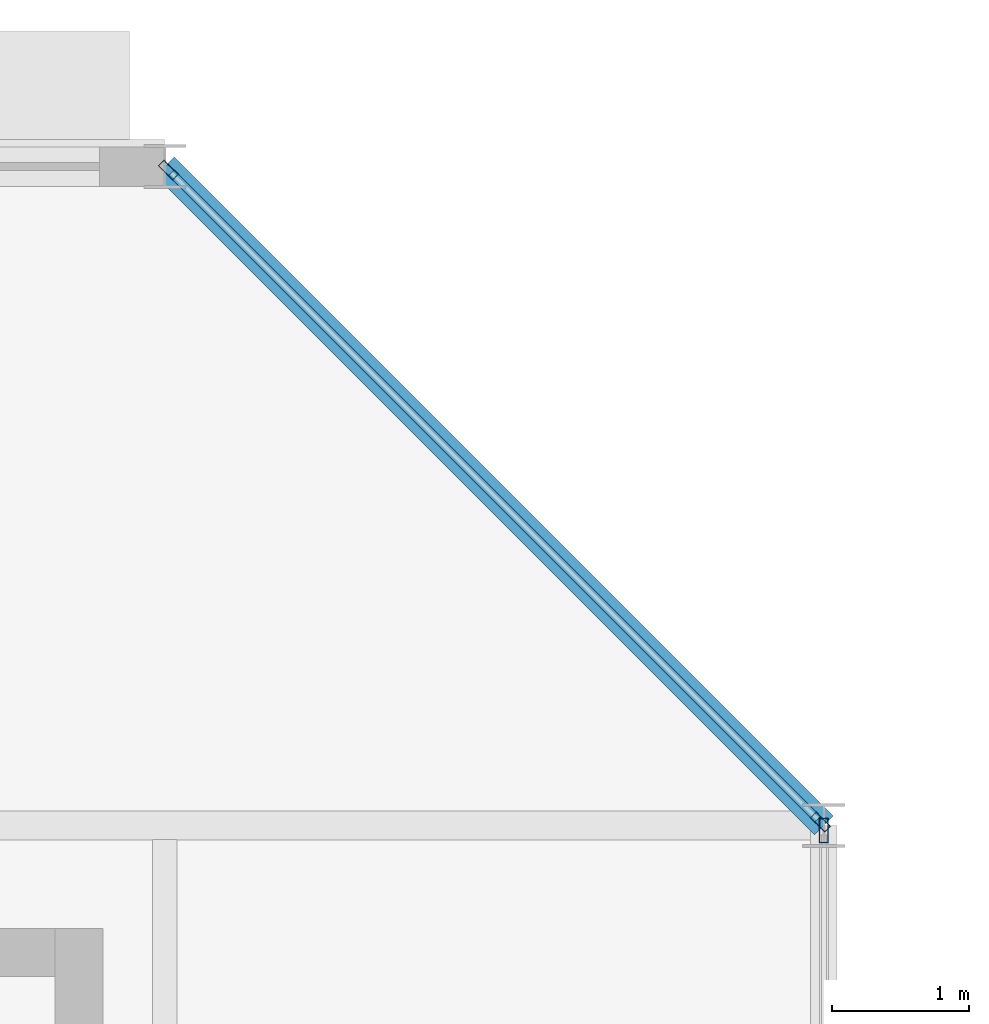
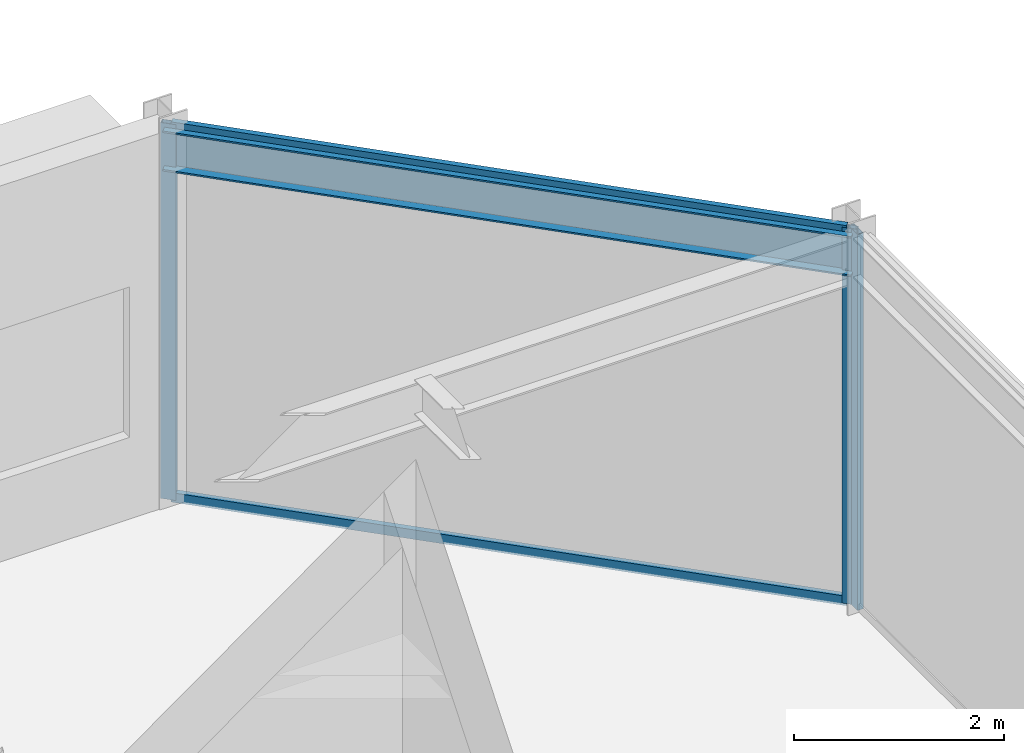
# One storey, part 37 of 89: 5 members, 1 beam, 2 elements without a shape of their own.
"""IFC4 building model written with IfcOpenShell, lengths in metres."""

import ifcopenshell
import ifcopenshell.guid

model = None  # the IFC model being written
_history = None  # IfcOwnerHistory: only IFC2X3 demands one
_inside = {}  # id of a spatial element -> (the spatial element, [elements in it])
_under = {}  # id of a project, library or spatial element -> (it, [spatial elements below it])
_declared = {}  # id of a project -> (the project, [libraries it declares])
_typed = {}  # id of a type object -> (the type object, [elements of that type])
_made_of = {}  # id of a material, layer set ... -> (it, [elements and type objects made of it])


def new_model(schema):
    """Start an empty IFC model of exactly this schema.

    Asked for "IFC4X3", IfcOpenShell would pick the latest addendum, in which some entities
    have other attributes; the version numbers below select the first issue.
    IFC2X3 requires an IfcOwnerHistory on every rooted entity: one is made here for all.
    """
    global model, _history
    if schema == "IFC4X3":
        model = ifcopenshell.file(schema_version=(4, 3, 0, 0))
    else:
        model = ifcopenshell.file(schema=schema)
    _inside.clear()
    _under.clear()
    _declared.clear()
    _typed.clear()
    _made_of.clear()
    _history = None
    if model.schema == "IFC2X3":
        org = make("IfcOrganization", Name="unknown")
        user = make(
            "IfcPersonAndOrganization",
            ThePerson=make("IfcPerson", FamilyName="unknown"),
            TheOrganization=org,
        )
        app = make(
            "IfcApplication",
            ApplicationDeveloper=org,
            Version="unknown",
            ApplicationFullName="unknown",
            ApplicationIdentifier="unknown",
        )
        _history = make(
            "IfcOwnerHistory",
            OwningUser=user,
            OwningApplication=app,
            ChangeAction="ADDED",
            CreationDate=0,
        )
    return model


def make(cls, **values):
    """One entity of the class cls with the attributes given. An attribute that is None is left unset."""
    return model.create_entity(
        cls, **{name: value for name, value in values.items() if value is not None}
    )


def rooted(cls, **values):
    """An entity with a GlobalId (a new one), such as an element, a storey or a relation."""
    return make(cls, GlobalId=ifcopenshell.guid.new(), OwnerHistory=_history, **values)


def si_unit(unit_type, name, prefix=None):
    """IfcSIUnit, for example si_unit("LENGTHUNIT", "METRE", prefix="MILLI")."""
    return make("IfcSIUnit", UnitType=unit_type, Prefix=prefix, Name=name)


def assignment(units):
    """IfcUnitAssignment: the units of a project."""
    return None if units is None else make("IfcUnitAssignment", Units=units)


def point(xyz):
    """IfcCartesianPoint."""
    return None if xyz is None else make("IfcCartesianPoint", Coordinates=xyz)


def direction(xyz):
    """IfcDirection."""
    return None if xyz is None else make("IfcDirection", DirectionRatios=xyz)


def frame(location, z_axis=None, x_axis=None):
    """IfcAxis2Placement3D, a coordinate frame: its origin and axes. An axis left out is left unset."""
    return make(
        "IfcAxis2Placement3D",
        Location=point(location),
        Axis=direction(z_axis),
        RefDirection=direction(x_axis),
    )


def frame_2d(location, x_axis=None):
    """IfcAxis2Placement2D, a coordinate frame in the plane: its origin and x axis."""
    return make(
        "IfcAxis2Placement2D", Location=point(location), RefDirection=direction(x_axis)
    )


def origin():
    """The frame at (0, 0, 0) with its axes left unset."""
    return frame((0.0, 0.0, 0.0))


def origin_2d():
    """The frame at (0, 0) in the plane with its x axis left unset."""
    return frame_2d((0.0, 0.0))


def place(relative_to, where):
    """IfcLocalPlacement: puts the frame where relative to a parent placement (None: the world)."""
    return make(
        "IfcLocalPlacement", PlacementRelTo=relative_to, RelativePlacement=where
    )


def context(
    kind, dimensions, precision=None, world=None, true_north=None, identifier=None
):
    """IfcGeometricRepresentationContext, for example the 3D "Model" context."""
    return make(
        "IfcGeometricRepresentationContext",
        ContextIdentifier=identifier,
        ContextType=kind,
        CoordinateSpaceDimension=dimensions,
        Precision=precision,
        WorldCoordinateSystem=world,
        TrueNorth=true_north,
    )


def subcontext(parent, identifier, kind, view, scale=None):
    """IfcGeometricRepresentationSubContext, for example "Body" below "Model"."""
    return make(
        "IfcGeometricRepresentationSubContext",
        ContextIdentifier=identifier,
        ContextType=kind,
        ParentContext=parent,
        TargetScale=scale,
        TargetView=view,
    )


def project(units=None, contexts=None):
    """IfcProject with its units and contexts."""
    return rooted(
        "IfcProject",
        Name="project",
        RepresentationContexts=contexts,
        UnitsInContext=assignment(units),
    )


def spatial(cls, under=None, at=None, **own):
    """A site, building, storey or space (cls), placed at a placement, below another one or the project."""
    s = rooted(cls, ObjectPlacement=at, **own)
    if under is not None:
        _under.setdefault(under.id(), (under, []))[1].append(s)
    return s


def profile(cls, at=None, kind="AREA", **sizes):
    """A parametric profile (cls). Its sizes go by their IFC names, for example OverallWidth=200.0."""
    return make(cls, ProfileType=kind, Position=at, **sizes)


def hollow_rectangle(**sizes):
    """IfcRectangleHollowProfileDef."""
    return profile("IfcRectangleHollowProfileDef", **sizes)


def i_section(**sizes):
    """IfcIShapeProfileDef."""
    return profile("IfcIShapeProfileDef", **sizes)


def extrude(swept, where, along, depth):
    """IfcExtrudedAreaSolid: the profile swept, set in the frame where, extruded along a direction by depth."""
    return make(
        "IfcExtrudedAreaSolid",
        SweptArea=swept,
        Position=where,
        ExtrudedDirection=direction(along),
        Depth=depth,
    )


def shape(context_of_items, identifier, shape_type, items):
    """IfcShapeRepresentation: the items that make up one representation, for example the "Body"."""
    return make(
        "IfcShapeRepresentation",
        ContextOfItems=context_of_items,
        RepresentationIdentifier=identifier,
        RepresentationType=shape_type,
        Items=items,
    )


def material(Name=None, Category=None):
    """IfcMaterial."""
    return make("IfcMaterial", Name=Name, Category=Category)


def material_profile(
    of_material, cross_section, Name=None, Category=None, Priority=None
):
    """IfcMaterialProfile: a cross section and its material."""
    return make(
        "IfcMaterialProfile",
        Name=Name,
        Material=of_material,
        Profile=cross_section,
        Priority=Priority,
        Category=Category,
    )


def profile_set(profiles, Name=None, composite=None):
    """IfcMaterialProfileSet."""
    return make(
        "IfcMaterialProfileSet",
        Name=Name,
        MaterialProfiles=profiles,
        CompositeProfile=composite,
    )


def made_of(thing, what):
    """Note that an element or type object is made of a material, layer set ...; save() writes the relation."""
    if what is not None:
        _made_of.setdefault(what.id(), (what, []))[1].append(thing)
    return thing


def type_object(cls, material=None, **own):
    """A type object (cls), such as IfcWallType, which elements share."""
    return made_of(rooted(cls, **own), material)


def element(
    cls,
    number,
    at=None,
    inside=None,
    cuts=None,
    type_object=None,
    material=None,
    context=None,
    identifier="Body",
    shape_type=None,
    held_by="IfcProductDefinitionShape",
    body=None,
    shapes=None,
    **own,
):
    """One element of the class cls, such as IfcWall. Its Tag is "e" and its number.

    at: its placement. inside: the storey or other place that contains it. cuts: it is an
    opening in that element (IfcRelVoidsElement). A single representation is given by context,
    identifier, shape_type and body (its items); several are given by shapes. held_by: the class
    of the entity that holds the representations. save() writes the other relations.
    """
    e = rooted(cls, Tag="e%d" % number, ObjectPlacement=at, **own)
    if body is not None:
        shapes = [shape(context, identifier, shape_type, body)]
    if shapes is not None:
        e.Representation = make(held_by, Representations=shapes)
    if inside is not None:
        _inside.setdefault(inside.id(), (inside, []))[1].append(e)
    if cuts is not None:
        rooted(
            "IfcRelVoidsElement", RelatingBuildingElement=cuts, RelatedOpeningElement=e
        )
    if type_object is not None:
        _typed.setdefault(type_object.id(), (type_object, []))[1].append(e)
    return made_of(e, material)


def aggregate(whole, parts):
    """IfcRelAggregates: a whole, such as a stair, and the parts it consists of."""
    return rooted("IfcRelAggregates", RelatingObject=whole, RelatedObjects=parts)


def save(model, path):
    """Write the relations noted so far, then the file.

    IfcRelAggregates (storeys below a building ...), IfcRelContainedInSpatialStructure (elements
    in a storey), IfcRelDefinesByType, IfcRelAssociatesMaterial and IfcRelDeclares: one each for
    every whole, place, type object, material and project.
    """
    for whole, parts in _under.values():
        aggregate(whole, parts)
    for where, things in _inside.values():
        rooted(
            "IfcRelContainedInSpatialStructure",
            RelatedElements=things,
            RelatingStructure=where,
        )
    for kind, things in _typed.values():
        rooted("IfcRelDefinesByType", RelatedObjects=things, RelatingType=kind)
    for what, things in _made_of.values():
        rooted("IfcRelAssociatesMaterial", RelatedObjects=things, RelatingMaterial=what)
    for by, libraries in _declared.values():
        rooted("IfcRelDeclares", RelatingContext=by, RelatedDefinitions=libraries)
    model.write(path)


model = new_model("IFC4")

# Units and contexts
model_context = context("Model", 3, precision=1e-05, world=origin(), true_north=direction((0.0, 1.0)))
body_context = subcontext(model_context, "Body", "Model", "MODEL_VIEW")
ifc_project = project(units=[si_unit("LENGTHUNIT", "METRE"), si_unit("AREAUNIT", "SQUARE_METRE"), si_unit("VOLUMEUNIT", "CUBIC_METRE"), si_unit("PLANEANGLEUNIT", "RADIAN"), si_unit("MASSUNIT", "GRAM", prefix="KILO")], contexts=[model_context])

# Site, building, storey
site_placement = place(None, origin())
site = spatial("IfcSite", under=ifc_project, at=site_placement, CompositionType="ELEMENT")
building_placement = place(site_placement, origin())
building = spatial("IfcBuilding", under=site, at=building_placement, Name="Almandine Court Research Institute", CompositionType="ELEMENT")
storey_placement = place(building_placement, frame((0.0, 0.0, 18.89990234375)))
storey = spatial("IfcBuildingStorey", under=building, at=storey_placement, Name="L04", CompositionType="ELEMENT", Elevation=18.89990234375)

# Beam
ifc_material_1 = material(Name="Steel ASTM A992 Grade 50", Category="steel")
ifc_material_profile_1 = material_profile(ifc_material_1, i_section(OverallWidth=0.193115234375, OverallDepth=0.466064453125, WebThickness=0.010986328125, FlangeThickness=0.01904296875, at=origin_2d()), Name="W460x97")
ifc_profile_set_1 = profile_set([ifc_material_profile_1], Name="Steel ASTM A992 Grade 50")
beam_type = type_object("IfcBeamType", Name="Beam-G-06-E", PredefinedType="SPANDREL", material=ifc_profile_set_1)
beam_placement = place(storey_placement, frame((34.800048828125, 112.800048828125, 4.090087890625), z_axis=(-0.707106781187, 0.707106781187, 0.0), x_axis=(-0.707106781187, -0.707106781187, 0.0)))
element("IfcBeam", 1, at=beam_placement, inside=storey, type_object=beam_type, Name="L04 V3 Octagonal Chamfer Spandrel", PredefinedType="SPANDREL", context=body_context, shape_type="SweptSolid", body=[
    extrude(i_section(OverallWidth=0.193115234375, OverallDepth=0.466064453125, WebThickness=0.010986328125, FlangeThickness=0.01904296875, at=origin_2d()), origin(), (0.0, 0.0, 1.0), 6.788330078125),
])

# Curtain wall, members
ifc_material_2 = material(Name="Unitised Curtain Wall Framing and Solar Glazing", Category="glass")
curtain_wall_type_1 = type_object("IfcCurtainWallType", Name="CW-CWG-08", PredefinedType="USERDEFINED", material=ifc_material_2)
curtain_wall_1_placement = place(storey_placement, origin())
curtain_wall_1 = element("IfcCurtainWall", 2, at=curtain_wall_1_placement, inside=storey, type_object=curtain_wall_type_1, Name="L04 Cleanroom NE Chamfer Glazing", ObjectType="UNITISED GLAZING", PredefinedType="USERDEFINED")
ifc_material_3 = material(Name="Anodised Aluminium AW-6063-T6", Category="aluminium")
ifc_material_profile_2 = material_profile(ifc_material_3, hollow_rectangle(XDim=0.06005859375, YDim=0.14990234375, WallThickness=0.00390625, at=origin_2d()), Name="ALU RHS 60x150x4")
ifc_profile_set_2 = profile_set([ifc_material_profile_2], Name="Anodised Aluminium AW-6063-T6")
member_type_1 = type_object("IfcMemberType", Name="CWMul-60x150", PredefinedType="MULLION", material=ifc_profile_set_2)
member_1_placement = place(storey_placement, frame((30.025146484375, 117.57470703125, 0.0), z_axis=(0.0, 0.0, 1.0), x_axis=(0.707106781187, 0.707106781187, 0.0)))
member_1 = element("IfcMember", 3, at=member_1_placement, type_object=member_type_1, Name="CWG-08 mullion 1", PredefinedType="MULLION", context=body_context, shape_type="SweptSolid", body=[
    extrude(hollow_rectangle(XDim=0.06005859375, YDim=0.14990234375, WallThickness=0.00390625, at=origin_2d()), origin(), (0.0, 0.0, 1.0), 4.3701171875),
])
member_2_placement = place(storey_placement, frame((34.77490234375, 112.8251953125, 0.0), z_axis=(0.0, 0.0, 1.0), x_axis=(0.707106781187, 0.707106781187, 0.0)))
member_2 = element("IfcMember", 4, at=member_2_placement, type_object=member_type_1, Name="CWG-08 mullion 2", PredefinedType="MULLION", context=body_context, shape_type="SweptSolid", body=[
    extrude(hollow_rectangle(XDim=0.06005859375, YDim=0.14990234375, WallThickness=0.00390625, at=origin_2d()), origin(), (0.0, 0.0, 1.0), 4.3701171875),
])

# Curtain wall, member
curtain_wall_type_2 = type_object("IfcCurtainWallType", Name="CW-CWJ-09", PredefinedType="USERDEFINED", material=ifc_material_2)
curtain_wall_2_placement = place(storey_placement, origin())
curtain_wall_2 = element("IfcCurtainWall", 5, at=curtain_wall_2_placement, inside=storey, type_object=curtain_wall_type_2, Name="L04 Cleanroom East Courtyard Jali Screen 3", ObjectType="SOLAR JALI SCREEN", PredefinedType="USERDEFINED")
ifc_material_profile_3 = material_profile(ifc_material_3, hollow_rectangle(XDim=0.06494140625, YDim=0.179931640625, WallThickness=0.00390625, at=origin_2d()), Name="ALU RHS 65x180x4")
ifc_profile_set_3 = profile_set([ifc_material_profile_3], Name="Anodised Aluminium AW-6063-T6")
member_type_2 = type_object("IfcMemberType", Name="CWMul-65x180", PredefinedType="MULLION", material=ifc_profile_set_3)
member_3_placement = place(storey_placement, frame((34.800048828125, 112.763427734375, 0.0), z_axis=(0.0, 0.0, 1.0), x_axis=(1.0, 0.0, 0.0)))
member_3 = element("IfcMember", 6, at=member_3_placement, type_object=member_type_2, Name="CWJ-09 mullion 1", PredefinedType="MULLION", context=body_context, shape_type="SweptSolid", body=[
    extrude(hollow_rectangle(XDim=0.06494140625, YDim=0.179931640625, WallThickness=0.00390625, at=origin_2d()), origin(), (0.0, 0.0, 1.0), 4.3701171875),
])
aggregate(curtain_wall_2, [member_3])

# Member
ifc_material_profile_4 = material_profile(ifc_material_3, hollow_rectangle(XDim=0.06005859375, YDim=0.110107421875, WallThickness=0.00390625, at=origin_2d()), Name="ALU RHS 60x110x4")
ifc_profile_set_4 = profile_set([ifc_material_profile_4], Name="Anodised Aluminium AW-6063-T6")
member_type_3 = type_object("IfcMemberType", Name="CWTrn-60x110", PredefinedType="NOTDEFINED", material=ifc_profile_set_4)
member_4_placement = place(storey_placement, frame((30.04638671875, 117.553466796875, 0.030029296875), z_axis=(0.707125118305, -0.707088443593, 0.0), x_axis=(0.707088443593, 0.707125118305, 0.0)))
member_4 = element("IfcMember", 7, at=member_4_placement, type_object=member_type_3, Name="CWG-08 transom 1.1", ObjectType="TRANSOM", PredefinedType="USERDEFINED", context=body_context, shape_type="SweptSolid", body=[
    extrude(hollow_rectangle(XDim=0.06005859375, YDim=0.110107421875, WallThickness=0.00390625, at=origin_2d()), origin(), (0.0, 0.0, 1.0), 6.656982421875),
])

member_5_placement = place(storey_placement, frame((30.04638671875, 117.553466796875, 4.340087890625), z_axis=(0.707125118305, -0.707088443593, 0.0), x_axis=(0.707088443593, 0.707125118305, 0.0)))
member_5 = element("IfcMember", 8, at=member_5_placement, type_object=member_type_3, Name="CWG-08 transom 1.2", ObjectType="TRANSOM", PredefinedType="USERDEFINED", context=body_context, shape_type="SweptSolid", body=[
    extrude(hollow_rectangle(XDim=0.06005859375, YDim=0.110107421875, WallThickness=0.00390625, at=origin_2d()), origin(), (0.0, 0.0, 1.0), 6.656982421875),
])

aggregate(curtain_wall_1, [member_1, member_2, member_4, member_5])

save(model, "model.ifc")
